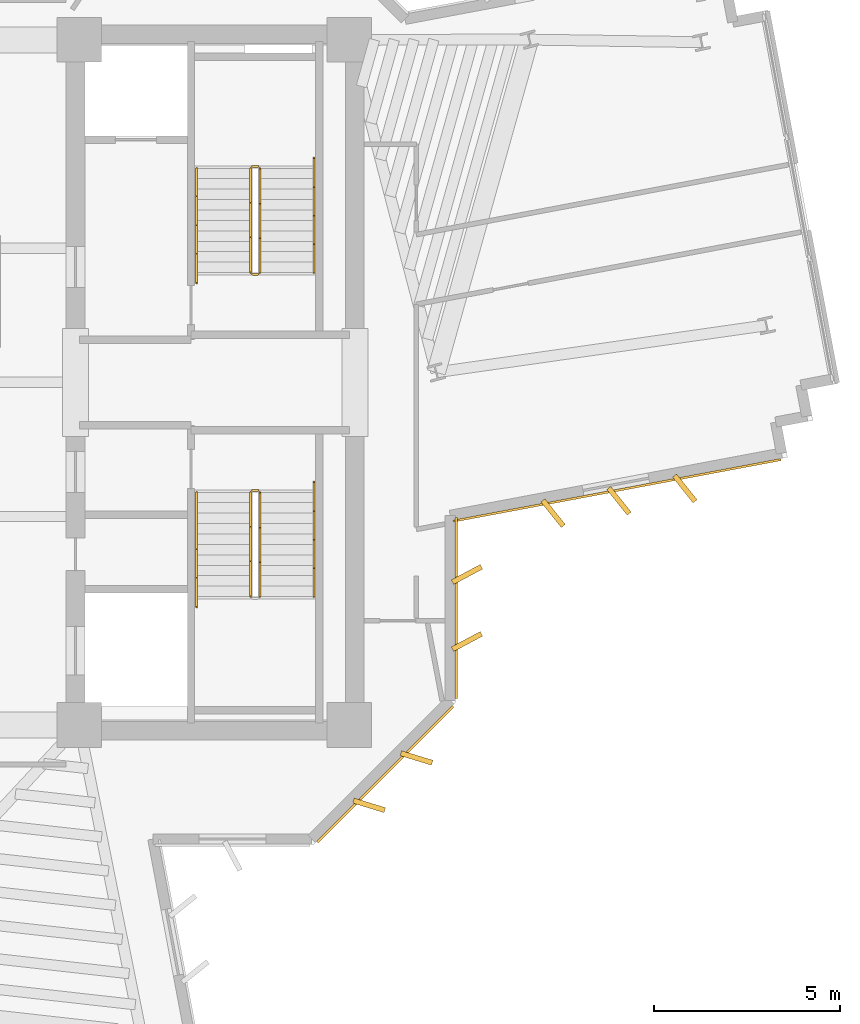
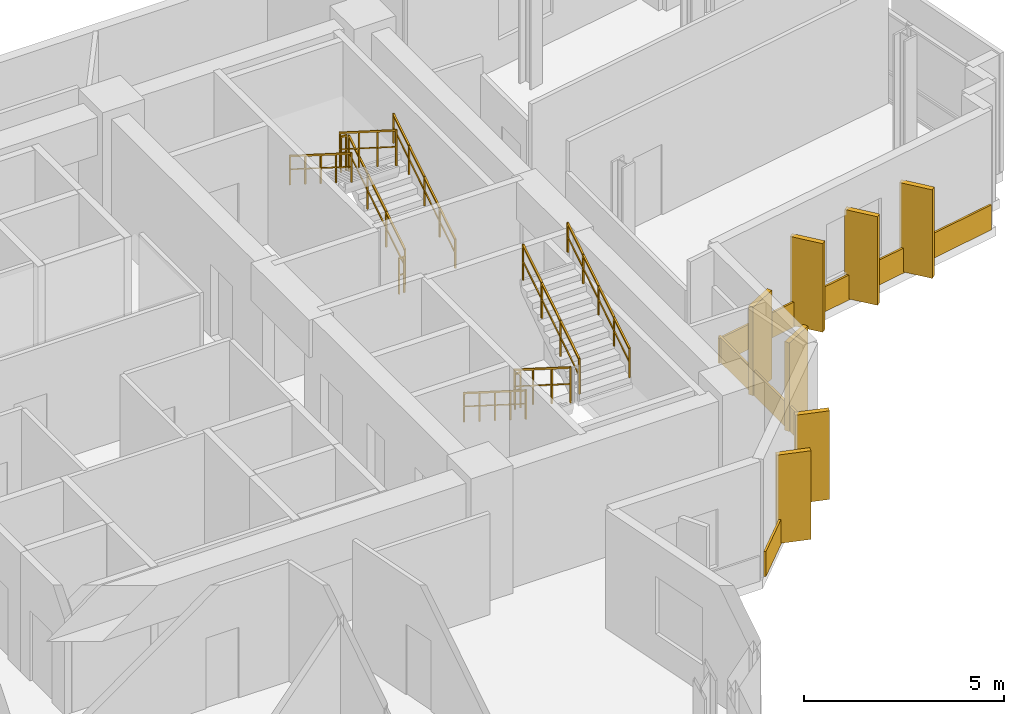
# One storey, part 15 of 16: 11 railings, 10 coverings.
"""IFC4 building model written with IfcOpenShell, lengths in metres."""

from ifc_helpers import new_model, si_unit, direction, frame, origin, origin_2d, place, context, subcontext, project, spatial, rectangle, extrude, source, transform, mapped, material, layer, layer_set, type_object, element, save


model = new_model("IFC4")

# Units and contexts
model_context = context("Model", 3, precision=1e-05, world=origin(), true_north=direction((0.0, 1.0)))
body_context = subcontext(model_context, "Body", "Model", "MODEL_VIEW")
ifc_project = project(units=[si_unit("LENGTHUNIT", "METRE"), si_unit("AREAUNIT", "SQUARE_METRE"), si_unit("VOLUMEUNIT", "CUBIC_METRE"), si_unit("PLANEANGLEUNIT", "RADIAN"), si_unit("MASSUNIT", "GRAM", prefix="KILO")], contexts=[model_context])

# Site, building, storey
site_placement = place(None, origin())
site = spatial("IfcSite", under=ifc_project, at=site_placement, CompositionType="ELEMENT")
building_placement = place(site_placement, origin())
building = spatial("IfcBuilding", under=site, at=building_placement, Name="Zahravan Cultural Tower", CompositionType="ELEMENT")
storey_placement = place(building_placement, frame((0.0, 0.0, 155.10009765625)))
storey = spatial("IfcBuildingStorey", under=building, at=storey_placement, Name="L35", CompositionType="ELEMENT", Elevation=155.10009765625)

# Railings
ifc_material_1 = material(Name="Steel ASTM A572 Grade 50", Category="steel")
railing_type_1 = type_object("IfcRailingType", Name="RL-STAIR-GRD1150", PredefinedType="BALUSTRADE", material=ifc_material_1)
railing_1_placement = place(storey_placement, frame((47.949951171875, 29.949951171875, 0.17724609375)))
element("IfcRailing", 1, at=railing_1_placement, inside=storey, type_object=railing_type_1, Name="L35 ST-E1 stair guard 1", PredefinedType="BALUSTRADE", context=body_context, shape_type="SweptSolid", body=[
    extrude(rectangle(XDim=0.05, YDim=0.05, at=origin_2d()), frame((0.0, 0.0, 1.0751953125), z_axis=(0.0, 0.844908973607, 0.534910110503), x_axis=(-1.0, 0.0, 0.0)), (0.0, 0.0, 1.0), 3.31396484375),
    extrude(rectangle(XDim=0.032, YDim=0.032, at=origin_2d()), frame((0.0, 0.0, 0.572021484375), z_axis=(0.0, 0.844908973607, 0.534910110503), x_axis=(-1.0, 0.0, 0.0)), (0.0, 0.0, 1.0), 3.31396484375),
    extrude(rectangle(XDim=0.04, YDim=0.04, at=origin_2d()), origin(), (0.0, 0.0, 1.0), 1.10009765625),
    extrude(rectangle(XDim=0.04, YDim=0.04, at=origin_2d()), frame((0.0, 0.933349609375, 0.5908203125)), (0.0, 0.0, 1.0), 1.10009765625),
    extrude(rectangle(XDim=0.04, YDim=0.04, at=origin_2d()), frame((0.0, 1.86669921875, 1.181884765625)), (0.0, 0.0, 1.0), 1.10009765625),
    extrude(rectangle(XDim=0.04, YDim=0.04, at=origin_2d()), frame((0.0, 2.800048828125, 1.772705078125)), (0.0, 0.0, 1.0), 1.10009765625),
])
railing_2_placement = place(storey_placement, frame((47.89990234375, 32.800048828125, 1.949951171875)))
element("IfcRailing", 2, at=railing_2_placement, inside=storey, type_object=railing_type_1, Name="L35 ST-E1 stair guard 2", PredefinedType="BALUSTRADE", context=body_context, shape_type="SweptSolid", body=[
    extrude(rectangle(XDim=0.05, YDim=0.05, at=origin_2d()), frame((0.0, 0.0, 1.0751953125), z_axis=(-1.0, 0.0, 0.0), x_axis=(0.0, -1.0, 0.0)), (0.0, 0.0, 1.0), 0.14990234375),
    extrude(rectangle(XDim=0.032, YDim=0.032, at=origin_2d()), frame((0.0, 0.0, 0.572021484375), z_axis=(-1.0, 0.0, 0.0), x_axis=(0.0, -1.0, 0.0)), (0.0, 0.0, 1.0), 0.14990234375),
    extrude(rectangle(XDim=0.04, YDim=0.04, at=origin_2d()), origin(), (0.0, 0.0, 1.0), 1.10009765625),
    extrude(rectangle(XDim=0.04, YDim=0.04, at=origin_2d()), frame((-0.14990234375, 0.0, 0.0)), (0.0, 0.0, 1.0), 1.10009765625),
])
railing_3_placement = place(storey_placement, frame((47.699951171875, 32.75, 2.127197265625)))
element("IfcRailing", 3, at=railing_3_placement, inside=storey, type_object=railing_type_1, Name="L35 ST-E1 stair guard 3", PredefinedType="BALUSTRADE", context=body_context, shape_type="SweptSolid", body=[
    extrude(rectangle(XDim=0.05, YDim=0.05, at=origin_2d()), frame((0.0, 0.0, 1.0751953125), z_axis=(0.0, -0.844908973607, 0.534910110503), x_axis=(1.0, 0.0, 0.0)), (0.0, 0.0, 1.0), 3.31396484375),
    extrude(rectangle(XDim=0.032, YDim=0.032, at=origin_2d()), frame((0.0, 0.0, 0.572021484375), z_axis=(0.0, -0.844908973607, 0.534910110503), x_axis=(1.0, 0.0, 0.0)), (0.0, 0.0, 1.0), 3.31396484375),
    extrude(rectangle(XDim=0.04, YDim=0.04, at=origin_2d()), origin(), (0.0, 0.0, 1.0), 1.10009765625),
    extrude(rectangle(XDim=0.04, YDim=0.04, at=origin_2d()), frame((0.0, -0.933349609375, 0.5908203125)), (0.0, 0.0, 1.0), 1.10009765625),
    extrude(rectangle(XDim=0.04, YDim=0.04, at=origin_2d()), frame((0.0, -1.86669921875, 1.181884765625)), (0.0, 0.0, 1.0), 1.10009765625),
    extrude(rectangle(XDim=0.04, YDim=0.04, at=origin_2d()), frame((0.0, -2.800048828125, 1.772705078125)), (0.0, 0.0, 1.0), 1.10009765625),
])
railing_4_placement = place(storey_placement, frame((47.89990234375, 29.89990234375, 0.0)))
element("IfcRailing", 4, at=railing_4_placement, inside=storey, type_object=railing_type_1, Name="L35 ST-E1 stair guard 4", PredefinedType="BALUSTRADE", context=body_context, shape_type="SweptSolid", body=[
    extrude(rectangle(XDim=0.05, YDim=0.05, at=origin_2d()), frame((0.0, 0.0, 1.0751953125), z_axis=(-1.0, 0.0, 0.0), x_axis=(0.0, -1.0, 0.0)), (0.0, 0.0, 1.0), 0.14990234375),
    extrude(rectangle(XDim=0.032, YDim=0.032, at=origin_2d()), frame((0.0, 0.0, 0.572021484375), z_axis=(-1.0, 0.0, 0.0), x_axis=(0.0, -1.0, 0.0)), (0.0, 0.0, 1.0), 0.14990234375),
    extrude(rectangle(XDim=0.04, YDim=0.04, at=origin_2d()), origin(), (0.0, 0.0, 1.0), 1.10009765625),
    extrude(rectangle(XDim=0.04, YDim=0.04, at=origin_2d()), frame((-0.14990234375, 0.0, 0.0)), (0.0, 0.0, 1.0), 1.10009765625),
])
railing_5_placement = place(storey_placement, frame((47.699951171875, 24.050048828125, 0.17724609375)))
element("IfcRailing", 5, at=railing_5_placement, inside=storey, type_object=railing_type_1, Name="L35 ST-E2 stair guard 1", PredefinedType="BALUSTRADE", context=body_context, shape_type="SweptSolid", body=[
    extrude(rectangle(XDim=0.05, YDim=0.05, at=origin_2d()), frame((0.0, 0.0, 1.0751953125), z_axis=(0.0, -0.844908973607, 0.534910110503), x_axis=(1.0, 0.0, 0.0)), (0.0, 0.0, 1.0), 3.31396484375),
    extrude(rectangle(XDim=0.032, YDim=0.032, at=origin_2d()), frame((0.0, 0.0, 0.572021484375), z_axis=(0.0, -0.844908973607, 0.534910110503), x_axis=(1.0, 0.0, 0.0)), (0.0, 0.0, 1.0), 3.31396484375),
    extrude(rectangle(XDim=0.04, YDim=0.04, at=origin_2d()), origin(), (0.0, 0.0, 1.0), 1.10009765625),
    extrude(rectangle(XDim=0.04, YDim=0.04, at=origin_2d()), frame((0.0, -0.933349609375, 0.5908203125)), (0.0, 0.0, 1.0), 1.10009765625),
    extrude(rectangle(XDim=0.04, YDim=0.04, at=origin_2d()), frame((0.0, -1.86669921875, 1.181884765625)), (0.0, 0.0, 1.0), 1.10009765625),
    extrude(rectangle(XDim=0.04, YDim=0.04, at=origin_2d()), frame((0.0, -2.800048828125, 1.772705078125)), (0.0, 0.0, 1.0), 1.10009765625),
])
railing_6_placement = place(storey_placement, frame((47.949951171875, 21.25, 2.127197265625)))
element("IfcRailing", 6, at=railing_6_placement, inside=storey, type_object=railing_type_1, Name="L35 ST-E2 stair guard 3", PredefinedType="BALUSTRADE", context=body_context, shape_type="SweptSolid", body=[
    extrude(rectangle(XDim=0.05, YDim=0.05, at=origin_2d()), frame((0.0, 0.0, 1.0751953125), z_axis=(0.0, 0.844908973607, 0.534910110503), x_axis=(-1.0, 0.0, 0.0)), (0.0, 0.0, 1.0), 3.31396484375),
    extrude(rectangle(XDim=0.032, YDim=0.032, at=origin_2d()), frame((0.0, 0.0, 0.572021484375), z_axis=(0.0, 0.844908973607, 0.534910110503), x_axis=(-1.0, 0.0, 0.0)), (0.0, 0.0, 1.0), 3.31396484375),
    extrude(rectangle(XDim=0.04, YDim=0.04, at=origin_2d()), origin(), (0.0, 0.0, 1.0), 1.10009765625),
    extrude(rectangle(XDim=0.04, YDim=0.04, at=origin_2d()), frame((0.0, 0.933349609375, 0.5908203125)), (0.0, 0.0, 1.0), 1.10009765625),
    extrude(rectangle(XDim=0.04, YDim=0.04, at=origin_2d()), frame((0.0, 1.86669921875, 1.181884765625)), (0.0, 0.0, 1.0), 1.10009765625),
    extrude(rectangle(XDim=0.04, YDim=0.04, at=origin_2d()), frame((0.0, 2.800048828125, 1.772705078125)), (0.0, 0.0, 1.0), 1.10009765625),
])
railing_7_placement = place(storey_placement, frame((47.75, 24.10009765625, 0.0)))
element("IfcRailing", 7, at=railing_7_placement, inside=storey, type_object=railing_type_1, Name="L35 ST-E2 stair guard 4", PredefinedType="BALUSTRADE", context=body_context, shape_type="SweptSolid", body=[
    extrude(rectangle(XDim=0.05, YDim=0.05, at=origin_2d()), frame((0.0, 0.0, 1.0751953125), z_axis=(1.0, 0.0, 0.0), x_axis=(0.0, 1.0, 0.0)), (0.0, 0.0, 1.0), 0.14990234375),
    extrude(rectangle(XDim=0.032, YDim=0.032, at=origin_2d()), frame((0.0, 0.0, 0.572021484375), z_axis=(1.0, 0.0, 0.0), x_axis=(0.0, 1.0, 0.0)), (0.0, 0.0, 1.0), 0.14990234375),
    extrude(rectangle(XDim=0.04, YDim=0.04, at=origin_2d()), origin(), (0.0, 0.0, 1.0), 1.10009765625),
    extrude(rectangle(XDim=0.04, YDim=0.04, at=origin_2d()), frame((0.14990234375, 0.0, 0.0)), (0.0, 0.0, 1.0), 1.10009765625),
])
railing_type_2 = type_object("IfcRailingType", Name="RL-STAIR-HR900", PredefinedType="HANDRAIL", material=ifc_material_1)
railing_8_placement = place(storey_placement, frame((49.39990234375, 29.949951171875, 0.17724609375)))
element("IfcRailing", 8, at=railing_8_placement, inside=storey, type_object=railing_type_2, Name="L35 ST-E1 stair handrail 1", PredefinedType="HANDRAIL", context=body_context, shape_type="SweptSolid", body=[
    extrude(rectangle(XDim=0.05, YDim=0.05, at=origin_2d()), frame((0.0, 0.0, 0.875), z_axis=(0.0, 0.844913916606, 0.534902302785), x_axis=(-1.0, 0.0, 0.0)), (0.0, 0.0, 1.0), 3.6455078125),
    extrude(rectangle(XDim=0.032, YDim=0.032, at=origin_2d()), frame((0.0, 0.0, 0.468017578125), z_axis=(0.0, 0.844913916606, 0.534902302785), x_axis=(-1.0, 0.0, 0.0)), (0.0, 0.0, 1.0), 3.6455078125),
    extrude(rectangle(XDim=0.04, YDim=0.04, at=origin_2d()), origin(), (0.0, 0.0, 1.0), 0.89990234375),
    extrude(rectangle(XDim=0.04, YDim=0.04, at=origin_2d()), frame((0.0, 0.77001953125, 0.487548828125)), (0.0, 0.0, 1.0), 0.89990234375),
    extrude(rectangle(XDim=0.04, YDim=0.04, at=origin_2d()), frame((0.0, 1.5400390625, 0.97509765625)), (0.0, 0.0, 1.0), 0.89990234375),
    extrude(rectangle(XDim=0.04, YDim=0.04, at=origin_2d()), frame((0.0, 2.31005859375, 1.46240234375)), (0.0, 0.0, 1.0), 0.89990234375),
    extrude(rectangle(XDim=0.04, YDim=0.04, at=origin_2d()), frame((0.0, 3.080078125, 1.949951171875)), (0.0, 0.0, 1.0), 0.89990234375),
])
for number, where, name in (
    (9, (46.25, 32.75, 2.127197265625), "L35 ST-E1 stair handrail 2"),
    (10, (46.25, 24.050048828125, 0.17724609375), "L35 ST-E2 stair handrail 1"),
):
    element("IfcRailing", number, at=place(storey_placement, frame(where)), inside=storey, type_object=railing_type_2, Name=name, PredefinedType="HANDRAIL", context=body_context, shape_type="SweptSolid", body=[
        extrude(rectangle(XDim=0.05, YDim=0.05, at=origin_2d()), frame((0.0, 0.0, 0.875), z_axis=(0.0, -0.844913916606, 0.534902302785), x_axis=(1.0, 0.0, 0.0)), (0.0, 0.0, 1.0), 3.6455078125),
        extrude(rectangle(XDim=0.032, YDim=0.032, at=origin_2d()), frame((0.0, 0.0, 0.468017578125), z_axis=(0.0, -0.844913916606, 0.534902302785), x_axis=(1.0, 0.0, 0.0)), (0.0, 0.0, 1.0), 3.6455078125),
        extrude(rectangle(XDim=0.04, YDim=0.04, at=origin_2d()), origin(), (0.0, 0.0, 1.0), 0.89990234375),
        extrude(rectangle(XDim=0.04, YDim=0.04, at=origin_2d()), frame((0.0, -0.77001953125, 0.487548828125)), (0.0, 0.0, 1.0), 0.89990234375),
        extrude(rectangle(XDim=0.04, YDim=0.04, at=origin_2d()), frame((0.0, -1.5400390625, 0.97509765625)), (0.0, 0.0, 1.0), 0.89990234375),
        extrude(rectangle(XDim=0.04, YDim=0.04, at=origin_2d()), frame((0.0, -2.31005859375, 1.46240234375)), (0.0, 0.0, 1.0), 0.89990234375),
        extrude(rectangle(XDim=0.04, YDim=0.04, at=origin_2d()), frame((0.0, -3.080078125, 1.949951171875)), (0.0, 0.0, 1.0), 0.89990234375),
    ])
railing_9_placement = place(storey_placement, frame((49.39990234375, 21.25, 2.127197265625)))
element("IfcRailing", 11, at=railing_9_placement, inside=storey, type_object=railing_type_2, Name="L35 ST-E2 stair handrail 2", PredefinedType="HANDRAIL", context=body_context, shape_type="SweptSolid", body=[
    extrude(rectangle(XDim=0.05, YDim=0.05, at=origin_2d()), frame((0.0, 0.0, 0.875), z_axis=(0.0, 0.844913916606, 0.534902302785), x_axis=(-1.0, 0.0, 0.0)), (0.0, 0.0, 1.0), 3.6455078125),
    extrude(rectangle(XDim=0.032, YDim=0.032, at=origin_2d()), frame((0.0, 0.0, 0.468017578125), z_axis=(0.0, 0.844913916606, 0.534902302785), x_axis=(-1.0, 0.0, 0.0)), (0.0, 0.0, 1.0), 3.6455078125),
    extrude(rectangle(XDim=0.04, YDim=0.04, at=origin_2d()), origin(), (0.0, 0.0, 1.0), 0.89990234375),
    extrude(rectangle(XDim=0.04, YDim=0.04, at=origin_2d()), frame((0.0, 0.77001953125, 0.487548828125)), (0.0, 0.0, 1.0), 0.89990234375),
    extrude(rectangle(XDim=0.04, YDim=0.04, at=origin_2d()), frame((0.0, 1.5400390625, 0.97509765625)), (0.0, 0.0, 1.0), 0.89990234375),
    extrude(rectangle(XDim=0.04, YDim=0.04, at=origin_2d()), frame((0.0, 2.31005859375, 1.46240234375)), (0.0, 0.0, 1.0), 0.89990234375),
    extrude(rectangle(XDim=0.04, YDim=0.04, at=origin_2d()), frame((0.0, 3.080078125, 1.949951171875)), (0.0, 0.0, 1.0), 0.89990234375),
])

# Coverings
ifc_material_2 = material(Name="Terracotta ceramic cladding", Category="masonry")
ifc_layer = layer(ifc_material_2, 0.06005859375)
ifc_layer_set = layer_set([ifc_layer], Name="Terracotta ceramic cladding")
covering_type = type_object("IfcCoveringType", Name="COV-CLAD-TC60", PredefinedType="CLADDING", material=ifc_layer_set)
shared_shape_1 = source(origin(), body_context, "Body", "SweptSolid", [
    extrude(rectangle(XDim=5.157958984375, YDim=0.06005859375, at=origin_2d()), origin(), (0.0, 0.0, 1.0), 0.760009765625),
])
covering_1_placement = place(storey_placement, frame((51.317626953125, 16.482421875, 0.02001953125), z_axis=(0.0, 0.0, 1.0), x_axis=(-0.707106781187, -0.707106781187, 0.0)))
element("IfcCovering", 12, at=covering_1_placement, inside=storey, type_object=covering_type, Name="L35 Terracotta Spandrel Cladding 12", PredefinedType="CLADDING", context=body_context, shape_type="MappedRepresentation", body=[
    mapped(shared_shape_1, transform((0.0, 0.0, 0.0), x_axis=(1.0, 0.0, 0.0), y_axis=(0.0, 1.0, 0.0), z_axis=(0.0, 0.0, 1.0), scale=1.0)),
])
shared_shape_2 = source(origin(), body_context, "Body", "SweptSolid", [
    extrude(rectangle(XDim=0.8798828125, YDim=0.139892578125, at=origin_2d()), origin(), (0.0, 0.0, 1.0), 2.699951171875),
])
for number, where, z_axis, x_axis, name in (
    (13, (59.360595703125, 24.154296875, 0.0498046875), (0.0, 0.0, 1.0), (0.624425048846, -0.781084731878, 0.0), "L35 Herringbone Terracotta Fin 04"),
    (14, (57.591552734375, 23.822021484375, 0.0498046875), (0.0, 0.0, 1.0), (0.624425048846, -0.781084731878, 0.0), "L35 Herringbone Terracotta Fin 05"),
    (15, (55.822509765625, 23.489501953125, 0.0498046875), (0.0, 0.0, 1.0), (0.624425048846, -0.781084731878, 0.0), "L35 Herringbone Terracotta Fin 06"),
    (16, (53.510009765625, 21.84326171875, 0.0498046875), (0.0, 0.0, 1.0), (0.882947592859, 0.469471562786, 0.0), "L35 Herringbone Terracotta Fin 07"),
    (17, (53.510009765625, 20.043212890625, 0.0498046875), (0.0, 0.0, 1.0), (0.882947592859, 0.469471562786, 0.0), "L35 Herringbone Terracotta Fin 08"),
    (18, (52.155517578125, 16.917236328125, 0.0498046875), (0.0, 0.0, 1.0), (0.956304755963, -0.292371704723, 0.0), "L35 Herringbone Terracotta Fin 09"),
    (19, (50.8828125, 15.644287109375, 0.0498046875), (0.0, 0.0, 1.0), (0.956304755963, -0.292371704723, 0.0), "L35 Herringbone Terracotta Fin 10"),
):
    element("IfcCovering", number, at=place(storey_placement, frame(where, z_axis=z_axis, x_axis=x_axis)), inside=storey, type_object=covering_type, Name=name, PredefinedType="CLADDING", context=body_context, shape_type="MappedRepresentation", body=[
        mapped(shared_shape_2, transform((0.0, 0.0, 0.0), x_axis=(1.0, 0.0, 0.0), y_axis=(0.0, 1.0, 0.0), z_axis=(0.0, 0.0, 1.0), scale=1.0)),
    ])
shared_shape_3 = source(origin(), body_context, "Body", "SweptSolid", [
    extrude(rectangle(XDim=8.952880859375, YDim=0.06005859375, at=origin_2d()), origin(), (0.0, 0.0, 1.0), 0.760009765625),
])
covering_2_placement = place(storey_placement, frame((57.5390625, 24.10205078125, 0.02001953125), z_axis=(0.0, 0.0, 1.0), x_axis=(-0.982806687355, -0.184637524056, 0.0)))
element("IfcCovering", 20, at=covering_2_placement, inside=storey, type_object=covering_type, Name="L35 Terracotta Spandrel Cladding 10", PredefinedType="CLADDING", context=body_context, shape_type="MappedRepresentation", body=[
    mapped(shared_shape_3, transform((0.0, 0.0, 0.0), x_axis=(1.0, 0.0, 0.0), y_axis=(0.0, 1.0, 0.0), z_axis=(0.0, 0.0, 1.0), scale=1.0)),
])
shared_shape_4 = source(origin(), body_context, "Body", "SweptSolid", [
    extrude(rectangle(XDim=4.870361328125, YDim=0.06005859375, at=origin_2d()), origin(), (0.0, 0.0, 1.0), 0.760009765625),
])
covering_3_placement = place(storey_placement, frame((53.22509765625, 20.943115234375, 0.02001953125), z_axis=(0.0, 0.0, 1.0), x_axis=(0.0, -1.0, 0.0)))
element("IfcCovering", 21, at=covering_3_placement, inside=storey, type_object=covering_type, Name="L35 Terracotta Spandrel Cladding 11", PredefinedType="CLADDING", context=body_context, shape_type="MappedRepresentation", body=[
    mapped(shared_shape_4, transform((0.0, 0.0, 0.0), x_axis=(1.0, 0.0, 0.0), y_axis=(0.0, 1.0, 0.0), z_axis=(0.0, 0.0, 1.0), scale=1.0)),
])

save(model, "model.ifc")
